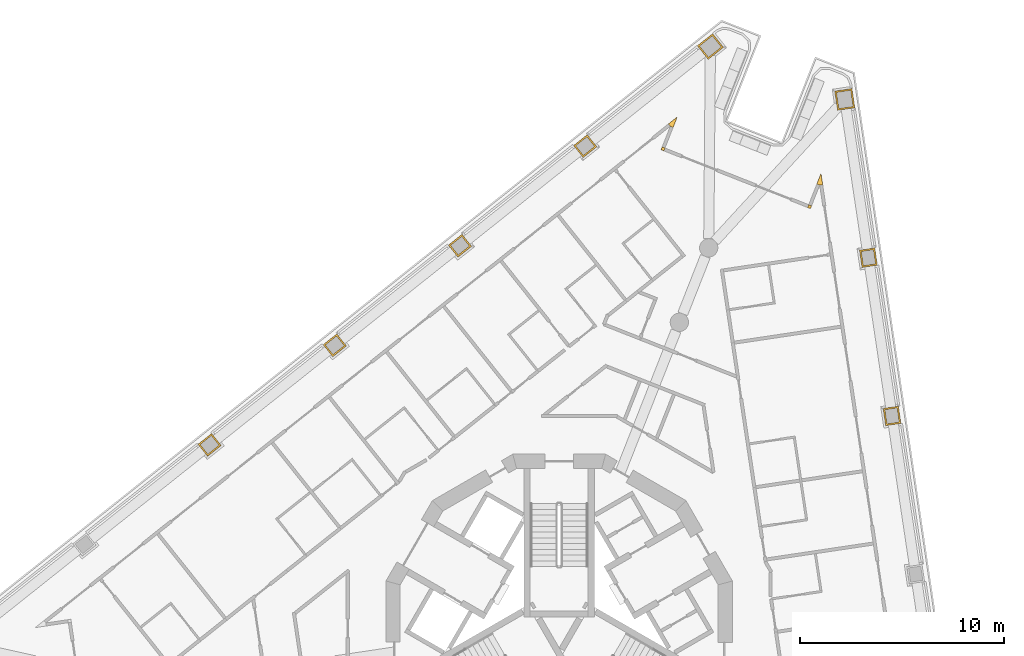
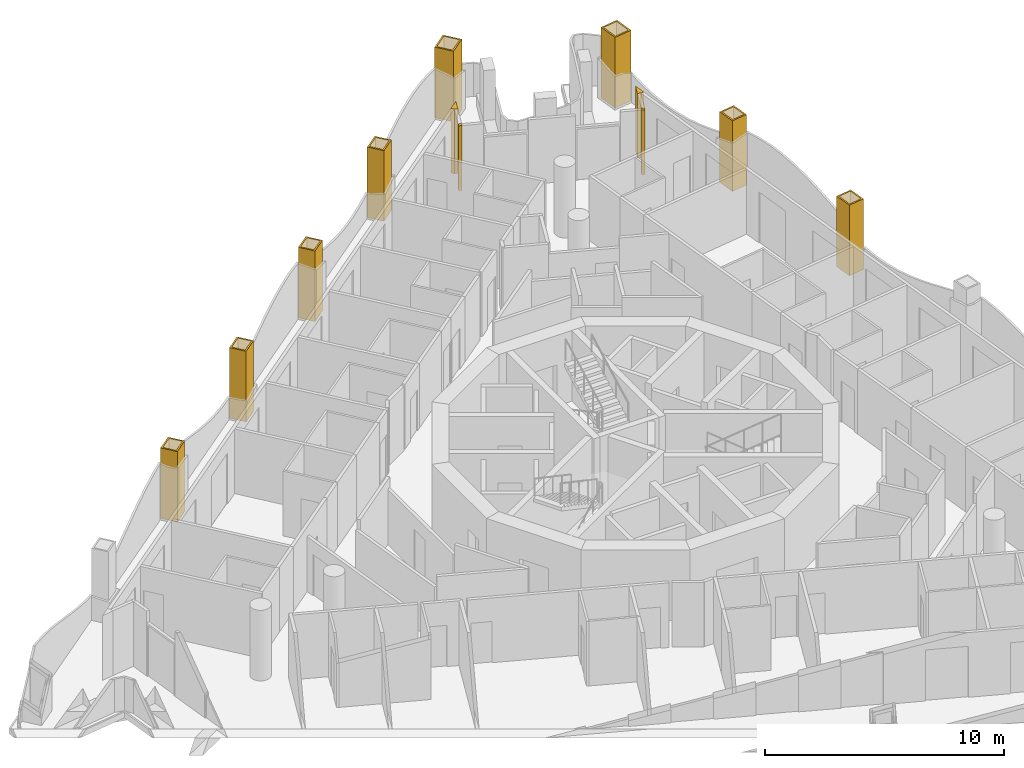
# One storey, part 16 of 17: 12 coverings.
"""IFC4 building model written with IfcOpenShell, lengths in metres."""

from ifc_helpers import new_model, si_unit, direction, frame, origin, place, context, subcontext, project, spatial, polyline, outline, extrude, material, layer, layer_set, type_object, element, save


model = new_model("IFC4")

# Units and contexts
model_context = context("Model", 3, precision=1e-05, world=origin(), true_north=direction((0.0, 1.0)))
body_context = subcontext(model_context, "Body", "Model", "MODEL_VIEW")
ifc_project = project(units=[si_unit("LENGTHUNIT", "METRE"), si_unit("AREAUNIT", "SQUARE_METRE"), si_unit("VOLUMEUNIT", "CUBIC_METRE"), si_unit("PLANEANGLEUNIT", "RADIAN"), si_unit("MASSUNIT", "GRAM", prefix="KILO")], contexts=[model_context])

# Site, building, storey
site_placement = place(None, origin())
site = spatial("IfcSite", under=ifc_project, at=site_placement, CompositionType="ELEMENT")
building_placement = place(site_placement, origin())
building = spatial("IfcBuilding", under=site, at=building_placement, Name="Trine Commons Tower", CompositionType="ELEMENT")
storey_placement = place(building_placement, frame((0.0, 0.0, 212.39990234375)))
storey = spatial("IfcBuildingStorey", under=building, at=storey_placement, Name="L55", CompositionType="ELEMENT", Elevation=212.39990234375)

# Coverings
ifc_material_1 = material(Name="Aluminium-framed insulated wall panel", Category="aluminium")
ifc_layer_1 = layer(ifc_material_1, 0.14990234375)
ifc_layer_set_1 = layer_set([ifc_layer_1], Name="Aluminium-framed insulated wall panel")
covering_type_1 = type_object("IfcCoveringType", Name="Glazing corner post, aluminium", PredefinedType="CLADDING", material=ifc_layer_set_1)
covering_1_placement = place(storey_placement, origin())
element("IfcCovering", 1, at=covering_1_placement, inside=storey, type_object=covering_type_1, Name="Glazing corner post 6-02", PredefinedType="CLADDING", context=body_context, shape_type="SweptSolid", body=[
    extrude(outline(polyline([(85.451416015625, 87.089599609375), (85.451416015625, 87.089599609375), (85.591064453125, 87.03466796875), (85.796142578125, 87.5556640625), (85.358154296875, 87.20703125), (85.451416015625, 87.089599609375)])), origin(), (0.0, 0.0, 1.0), 3.300048828125),
])
covering_2_placement = place(storey_placement, origin())
element("IfcCovering", 2, at=covering_2_placement, inside=storey, type_object=covering_type_1, Name="Glazing corner post 6-03", PredefinedType="CLADDING", context=body_context, shape_type="SweptSolid", body=[
    extrude(outline(polyline([(85.13818359375, 85.885009765625), (85.193115234375, 86.0244140625), (85.0537109375, 86.07958984375), (84.99853515625, 85.93994140625), (85.13818359375, 85.885009765625)])), origin(), (0.0, 0.0, 1.0), 3.300048828125),
])
covering_3_placement = place(storey_placement, origin())
element("IfcCovering", 3, at=covering_3_placement, inside=storey, type_object=covering_type_1, Name="Glazing corner post 6-04", PredefinedType="CLADDING", context=body_context, shape_type="SweptSolid", body=[
    extrude(outline(polyline([(92.190673828125, 83.10693359375), (92.330322265625, 83.052001953125), (92.38525390625, 83.19140625), (92.24560546875, 83.246337890625), (92.190673828125, 83.10693359375)])), origin(), (0.0, 0.0, 1.0), 3.300048828125),
])
covering_4_placement = place(storey_placement, origin())
element("IfcCovering", 4, at=covering_4_placement, inside=storey, type_object=covering_type_1, Name="Glazing corner post 6-05", PredefinedType="CLADDING", context=body_context, shape_type="SweptSolid", body=[
    extrude(outline(polyline([(92.6435546875, 84.256591796875), (92.783203125, 84.20166015625), (92.931396484375, 84.223876953125), (92.848876953125, 84.777587890625), (92.6435546875, 84.256591796875)])), origin(), (0.0, 0.0, 1.0), 3.300048828125),
])
ifc_material_2 = material(Name="Limestone, honed", Category="masonry")
ifc_layer_2 = layer(ifc_material_2, 0.074951171875)
ifc_layer_set_2 = layer_set([ifc_layer_2], Name="Limestone, honed")
covering_type_2 = type_object("IfcCoveringType", Name="Limestone column cladding 75", PredefinedType="CLADDING", material=ifc_layer_set_2)
covering_5_placement = place(storey_placement, origin())
element("IfcCovering", 5, at=covering_5_placement, inside=storey, type_object=covering_type_2, Name="Limestone pier cladding 6-10", PredefinedType="CLADDING", context=body_context, shape_type="SweptSolid", body=[
    extrude(outline(polyline([(63.40966796875, 71.4287109375), (62.942626953125, 72.015625), (62.27734375, 71.486572265625), (62.744384765625, 70.899658203125), (63.40966796875, 71.4287109375)]), holes=[polyline([(63.30419921875, 71.440673828125), (62.9306640625, 71.910400390625), (62.3828125, 71.474609375), (62.75634765625, 71.0048828125), (63.30419921875, 71.440673828125)])]), origin(), (0.0, 0.0, 1.0), 3.60009765625),
])
covering_6_placement = place(storey_placement, origin())
element("IfcCovering", 6, at=covering_6_placement, inside=storey, type_object=covering_type_2, Name="Limestone pier cladding 6-11", PredefinedType="CLADDING", context=body_context, shape_type="SweptSolid", body=[
    extrude(outline(polyline([(69.553466796875, 76.31591796875), (69.086669921875, 76.902587890625), (68.42138671875, 76.37353515625), (68.88818359375, 75.78662109375), (69.553466796875, 76.31591796875)]), holes=[polyline([(69.447998046875, 76.327880859375), (69.07470703125, 76.79736328125), (68.526611328125, 76.361572265625), (68.900146484375, 75.89208984375), (69.447998046875, 76.327880859375)])]), origin(), (0.0, 0.0, 1.0), 3.60009765625),
])
covering_7_placement = place(storey_placement, origin())
element("IfcCovering", 7, at=covering_7_placement, inside=storey, type_object=covering_type_2, Name="Limestone pier cladding 6-12", PredefinedType="CLADDING", context=body_context, shape_type="SweptSolid", body=[
    extrude(outline(polyline([(75.697509765625, 81.202880859375), (75.230712890625, 81.789794921875), (74.565185546875, 81.2607421875), (75.0322265625, 80.673828125), (75.697509765625, 81.202880859375)]), holes=[polyline([(75.592041015625, 81.21484375), (75.218505859375, 81.6845703125), (74.670654296875, 81.248779296875), (75.044189453125, 80.779052734375), (75.592041015625, 81.21484375)])]), origin(), (0.0, 0.0, 1.0), 3.60009765625),
])
covering_8_placement = place(storey_placement, origin())
element("IfcCovering", 8, at=covering_8_placement, inside=storey, type_object=covering_type_2, Name="Limestone pier cladding 6-13", PredefinedType="CLADDING", context=body_context, shape_type="SweptSolid", body=[
    extrude(outline(polyline([(81.84130859375, 86.090087890625), (81.37451171875, 86.677001953125), (80.709228515625, 86.147705078125), (81.176025390625, 85.560791015625), (81.84130859375, 86.090087890625)]), holes=[polyline([(81.736083984375, 86.10205078125), (81.362548828125, 86.571533203125), (80.814697265625, 86.1357421875), (81.18798828125, 85.666259765625), (81.736083984375, 86.10205078125)])]), origin(), (0.0, 0.0, 1.0), 3.60009765625),
])
covering_9_placement = place(storey_placement, origin())
element("IfcCovering", 9, at=covering_9_placement, inside=storey, type_object=covering_type_2, Name="Limestone pier cladding 6-14", PredefinedType="CLADDING", context=body_context, shape_type="SweptSolid", body=[
    extrude(outline(polyline([(88.0556640625, 90.968994140625), (87.526611328125, 91.63427734375), (86.782958984375, 91.04296875), (87.31201171875, 90.377685546875), (88.0556640625, 90.968994140625)]), holes=[polyline([(87.9501953125, 90.981201171875), (87.514404296875, 91.52880859375), (86.888427734375, 91.031005859375), (87.32421875, 90.483154296875), (87.9501953125, 90.981201171875)])]), origin(), (0.0, 0.0, 1.0), 3.60009765625),
])
covering_10_placement = place(storey_placement, origin())
element("IfcCovering", 10, at=covering_10_placement, inside=storey, type_object=covering_type_2, Name="Limestone pier cladding 6-15", PredefinedType="CLADDING", context=body_context, shape_type="SweptSolid", body=[
    extrude(outline(polyline([(94.364990234375, 88.9404296875), (93.5244140625, 88.81494140625), (93.664794921875, 87.875244140625), (94.505615234375, 88.0009765625), (94.364990234375, 88.9404296875)]), holes=[polyline([(94.302001953125, 88.855224609375), (93.609619140625, 88.751708984375), (93.72802734375, 87.960693359375), (94.42041015625, 88.06396484375), (94.302001953125, 88.855224609375)])]), origin(), (0.0, 0.0, 1.0), 3.60009765625),
])
covering_11_placement = place(storey_placement, origin())
element("IfcCovering", 11, at=covering_11_placement, inside=storey, type_object=covering_type_2, Name="Limestone pier cladding 6-16", PredefinedType="CLADDING", context=body_context, shape_type="SweptSolid", body=[
    extrude(outline(polyline([(95.4833984375, 81.119384765625), (94.74169921875, 81.00830078125), (94.8671875, 80.167724609375), (95.609130859375, 80.278564453125), (95.4833984375, 81.119384765625)]), holes=[polyline([(95.42041015625, 81.033935546875), (94.826904296875, 80.9453125), (94.930419921875, 80.2529296875), (95.523681640625, 80.341796875), (95.42041015625, 81.033935546875)])]), origin(), (0.0, 0.0, 1.0), 3.60009765625),
])
covering_12_placement = place(storey_placement, origin())
element("IfcCovering", 12, at=covering_12_placement, inside=storey, type_object=covering_type_2, Name="Limestone pier cladding 6-17", PredefinedType="CLADDING", context=body_context, shape_type="SweptSolid", body=[
    extrude(outline(polyline([(96.643798828125, 73.35498046875), (95.902099609375, 73.244140625), (96.027587890625, 72.4033203125), (96.769287109375, 72.514404296875), (96.643798828125, 73.35498046875)]), holes=[polyline([(96.580810546875, 73.269775390625), (95.9873046875, 73.180908203125), (96.0908203125, 72.48876953125), (96.68408203125, 72.577392578125), (96.580810546875, 73.269775390625)])]), origin(), (0.0, 0.0, 1.0), 3.60009765625),
])

save(model, "model.ifc")
